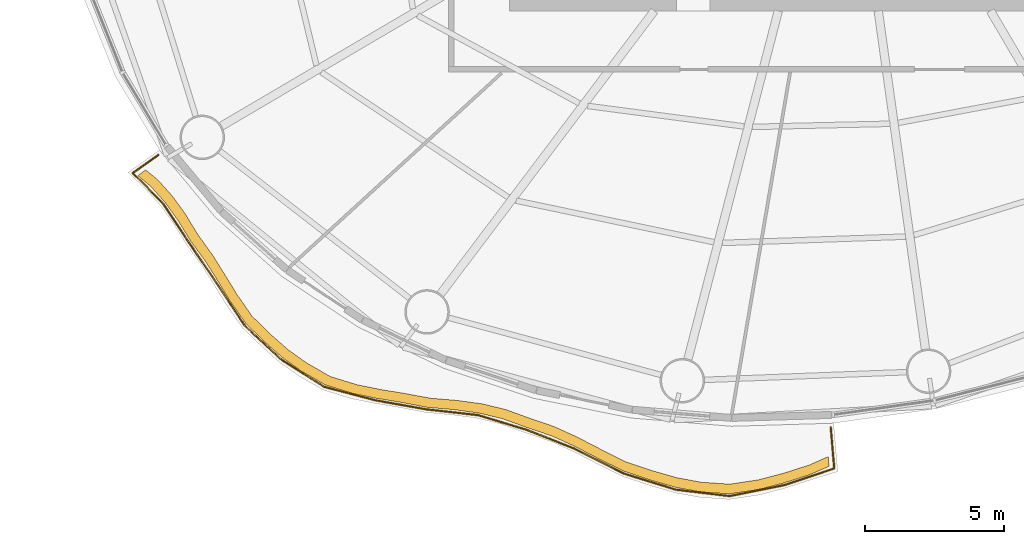
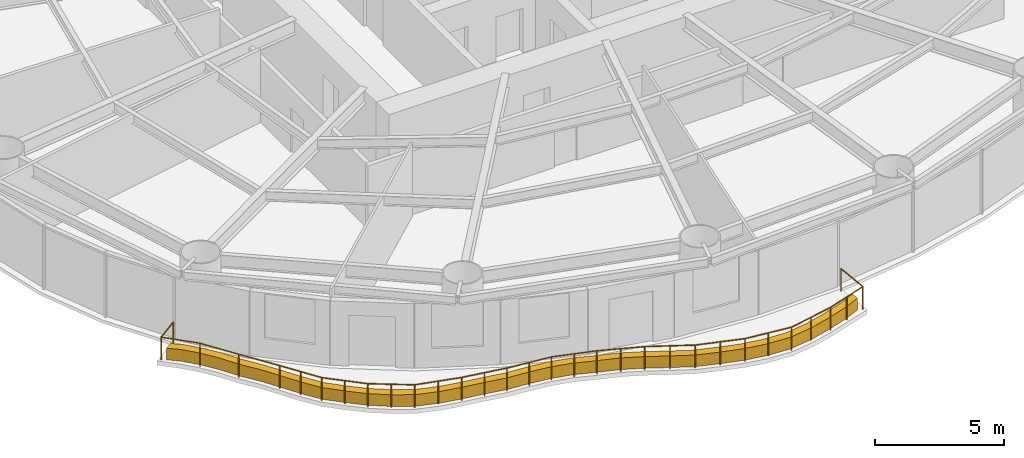
# One storey, part 12 of 16: 1 covering, 1 railing.
"""IFC4 building model written with IfcOpenShell, lengths in metres."""

from ifc_helpers import new_model, si_unit, direction, frame, origin, origin_2d, place, context, subcontext, project, spatial, polyline, circle, outline, extrude, material, type_object, element, save


model = new_model("IFC4")

# Units and contexts
model_context = context("Model", 3, precision=1e-05, world=origin(), true_north=direction((0.0, 1.0)))
body_context = subcontext(model_context, "Body", "Model", "MODEL_VIEW")
ifc_project = project(units=[si_unit("LENGTHUNIT", "METRE"), si_unit("AREAUNIT", "SQUARE_METRE"), si_unit("VOLUMEUNIT", "CUBIC_METRE"), si_unit("PLANEANGLEUNIT", "RADIAN"), si_unit("MASSUNIT", "GRAM", prefix="KILO")], contexts=[model_context])

# Site, building, storey
site_placement = place(None, origin())
site = spatial("IfcSite", under=ifc_project, at=site_placement, CompositionType="ELEMENT")
building_placement = place(site_placement, origin())
building = spatial("IfcBuilding", under=site, at=building_placement, Name="Vermilion Reach Broadcast Tower", CompositionType="ELEMENT")
storey_placement = place(building_placement, frame((0.0, 0.0, 103.0)))
storey = spatial("IfcBuildingStorey", under=building, at=storey_placement, Name="L23", CompositionType="ELEMENT", Elevation=103.0)

# Covering
ifc_material_1 = material(Name="Planting soil and greenery")
covering_type = type_object("IfcCoveringType", Name="Balcony PLANTER", PredefinedType="USERDEFINED", material=ifc_material_1)
covering_placement = place(storey_placement, origin())
element("IfcCovering", 1, at=covering_placement, inside=storey, type_object=covering_type, Name="PLANTER L23 group 3", ObjectType="PLANTER", PredefinedType="USERDEFINED", context=body_context, shape_type="SweptSolid", body=[
    extrude(outline(polyline([(-31.3623046875, -14.9208984375), (-30.91064453125, -15.29638671875), (-30.385986328125, -15.882080078125), (-29.924072265625, -16.52001953125), (-29.46142578125, -17.27685546875), (-28.92138671875, -18.015625), (-28.4765625, -18.72265625), (-28.039306640625, -19.438232421875), (-27.476806640625, -20.241455078125), (-26.765625, -20.931640625), (-26.141845703125, -21.479248046875), (-25.470703125, -21.955322265625), (-24.615966796875, -22.447021484375), (-23.6455078125, -22.75048828125), (-22.79248046875, -22.925048828125), (-21.92333984375, -23.066650390625), (-20.965087890625, -23.24853515625), (-19.978515625, -23.336669921875), (-19.105224609375, -23.455810546875), (-18.259765625, -23.658203125), (-17.3828125, -23.974853515625), (-16.47314453125, -24.28271484375), (-15.64404296875, -24.65771484375), (-14.825439453125, -25.083251953125), (-13.89892578125, -25.544921875), (-12.905029296875, -25.874755859375), (-12.01806640625, -26.130615234375), (-11.12353515625, -26.2939453125), (-10.083740234375, -26.3623046875), (-9.031494140625, -26.20556640625), (-8.118896484375, -25.965576171875), (-7.207763671875, -25.671875), (-6.51220703125, -25.373291015625), (-6.5419921875, -25.0244140625), (-7.218505859375, -25.322021484375), (-8.12939453125, -25.61572265625), (-9.042236328125, -25.855712890625), (-10.074462890625, -26.012451171875), (-11.0947265625, -25.945068359375), (-11.9892578125, -25.781982421875), (-12.876220703125, -25.52587890625), (-13.849853515625, -25.1982421875), (-14.756103515625, -24.740234375), (-15.574951171875, -24.314697265625), (-16.40380859375, -23.939697265625), (-17.292724609375, -23.63671875), (-18.149169921875, -23.326171875), (-18.99462890625, -23.123779296875), (-19.867919921875, -23.004638671875), (-20.83349609375, -22.92431640625), (-21.771240234375, -22.75146484375), (-22.64013671875, -22.60986328125), (-23.493408203125, -22.435302734375), (-24.44287109375, -22.142822265625), (-25.27734375, -21.66357421875), (-25.948486328125, -21.1875), (-26.572509765625, -20.639892578125), (-27.26318359375, -19.964111328125), (-27.806640625, -19.177001953125), (-28.243896484375, -18.46142578125), (-28.688720703125, -17.754150390625), (-29.2099609375, -17.03369140625), (-29.6552734375, -16.2958984375), (-30.1171875, -15.658203125), (-30.6416015625, -15.072509765625), (-31.076904296875, -14.71826171875), (-31.3623046875, -14.9208984375)])), origin(), (0.0, 0.0, 1.0), 0.550048828125),
])

# Railing
ifc_material_2 = material(Name="Stainless steel 316 balustrade", Category="steel")
railing_type = type_object("IfcRailingType", Name="Balcony guard 1100", PredefinedType="BALUSTRADE", material=ifc_material_2)
railing_placement = place(storey_placement, frame((-30.629638671875, -14.180908203125, 0.0)))
element("IfcRailing", 2, at=railing_placement, inside=storey, type_object=railing_type, Name="Balcony guard L23 group 3", PredefinedType="BALUSTRADE", context=body_context, shape_type="SweptSolid", body=[
    extrude(circle(Radius=0.02490234375, at=origin_2d()), frame((0.0, 0.0, 1.0751953125), z_axis=(-0.815527063497, -0.578718937572, 0.0), x_axis=(0.578718937572, -0.815527063497, 0.0)), (0.0, 0.0, 1.0), 1.11962890625),
    extrude(circle(Radius=0.02490234375, at=origin_2d()), frame((-0.9130859375, -0.64794921875, 1.0751953125), z_axis=(0.704118270568, -0.710082714233, 0.0), x_axis=(0.710082714233, 0.704118270568, 0.0)), (0.0, 0.0, 1.0), 1.555419921875),
    extrude(circle(Radius=0.02490234375, at=origin_2d()), frame((0.18212890625, -1.75244140625, 1.0751953125), z_axis=(0.552920689777, -0.833233887223, 0.0), x_axis=(0.833233887223, 0.552920689777, 0.0)), (0.0, 0.0, 1.0), 1.67919921875),
    extrude(circle(Radius=0.02490234375, at=origin_2d()), frame((1.110595703125, -3.151611328125, 1.0751953125), z_axis=(0.563591436, -0.826053686674, 0.0), x_axis=(0.826053686674, 0.563591436, 0.0)), (0.0, 0.0, 1.0), 1.75537109375),
    extrude(circle(Radius=0.02490234375, at=origin_2d()), frame((2.099853515625, -4.6015625, 1.0751953125), z_axis=(0.550646353841, -0.83473863754, 0.0), x_axis=(0.83473863754, 0.550646353841, 0.0)), (0.0, 0.0, 1.0), 1.823486328125),
    extrude(circle(Radius=0.02490234375, at=origin_2d()), frame((3.10400390625, -6.123779296875, 1.0751953125), z_axis=(0.733531076557, -0.679655912742, 0.0), x_axis=(0.679655912742, 0.733531076557, 0.0)), (0.0, 0.0, 1.0), 1.826171875),
    extrude(circle(Radius=0.02490234375, at=origin_2d()), frame((4.443603515625, -7.364990234375, 1.0751953125), z_axis=(0.844475886085, -0.535593575223, 0.0), x_axis=(0.535593575223, 0.844475886085, 0.0)), (0.0, 0.0, 1.0), 1.8125),
    extrude(circle(Radius=0.02490234375, at=origin_2d()), frame((5.97412109375, -8.335693359375, 1.0751953125), z_axis=(0.967163139953, -0.2541563706, 0.0), x_axis=(0.2541563706, 0.967163139953, 0.0)), (0.0, 0.0, 1.0), 1.890380859375),
    extrude(circle(Radius=0.02490234375, at=origin_2d()), frame((7.802490234375, -8.816162109375, 1.0751953125), z_axis=(0.984586115039, -0.174900491917, 0.0), x_axis=(0.174900491917, 0.984586115039, 0.0)), (0.0, 0.0, 1.0), 1.860595703125),
    extrude(circle(Radius=0.02490234375, at=origin_2d()), frame((9.634521484375, -9.1416015625, 1.0751953125), z_axis=(0.993762538563, -0.111516890867, 0.0), x_axis=(0.111516890867, 0.993762538563, 0.0)), (0.0, 0.0, 1.0), 1.876220703125),
    extrude(circle(Radius=0.02490234375, at=origin_2d()), frame((11.4990234375, -9.350830078125, 1.0751953125), z_axis=(0.957460441799, -0.288564554978, 0.0), x_axis=(0.288564554978, 0.957460441799, 0.0)), (0.0, 0.0, 1.0), 1.8037109375),
    extrude(circle(Radius=0.02490234375, at=origin_2d()), frame((13.22607421875, -9.871337890625, 1.0751953125), z_axis=(0.930963642313, -0.365111896124, 0.0), x_axis=(0.365111896124, 0.930963642313, 0.0)), (0.0, 0.0, 1.0), 1.873046875),
    extrude(circle(Radius=0.02490234375, at=origin_2d()), frame((14.9697265625, -10.55517578125, 1.0751953125), z_axis=(0.891748658325, -0.452531026975, 0.0), x_axis=(0.452531026975, 0.891748658325, 0.0)), (0.0, 0.0, 1.0), 1.962158203125),
    extrude(circle(Radius=0.02490234375, at=origin_2d()), frame((16.719482421875, -11.443115234375, 1.0751953125), z_axis=(0.954881712768, -0.296986387941, 0.0), x_axis=(0.296986387941, 0.954881712768, 0.0)), (0.0, 0.0, 1.0), 1.974609375),
    extrude(circle(Radius=0.02490234375, at=origin_2d()), frame((18.60498046875, -12.029541015625, 1.0751953125), z_axis=(0.992921728252, -0.118770541657, 0.0), x_axis=(0.118770541657, 0.992921728252, 0.0)), (0.0, 0.0, 1.0), 1.952880859375),
    extrude(circle(Radius=0.02490234375, at=origin_2d()), frame((20.5439453125, -12.261474609375, 1.0751953125), z_axis=(0.980303914404, 0.197494899691, 0.0), x_axis=(-0.197494899691, 0.980303914404, 0.0)), (0.0, 0.0, 1.0), 2.0087890625),
    extrude(circle(Radius=0.02490234375, at=origin_2d()), frame((22.51318359375, -11.86474609375, 1.0751953125), z_axis=(0.948502130774, 0.316770749781, 0.0), x_axis=(-0.316770749781, 0.948502130774, 0.0)), (0.0, 0.0, 1.0), 1.88818359375),
    extrude(circle(Radius=0.02490234375, at=origin_2d()), frame((24.30419921875, -11.2666015625, 1.0751953125), z_axis=(-0.085054499377, 0.996376300469, 0.0), x_axis=(-0.996376300469, -0.085054499377, 0.0)), (0.0, 0.0, 1.0), 1.478271484375),
    extrude(circle(Radius=0.02490234375, at=origin_2d()), origin(), (0.0, 0.0, 1.0), 1.050048828125),
    extrude(circle(Radius=0.02490234375, at=origin_2d()), frame((-0.9130859375, -0.64794921875, 0.0)), (0.0, 0.0, 1.0), 1.050048828125),
    extrude(circle(Radius=0.02490234375, at=origin_2d()), frame((0.18212890625, -1.75244140625, 0.0)), (0.0, 0.0, 1.0), 1.050048828125),
    extrude(circle(Radius=0.02490234375, at=origin_2d()), frame((1.110595703125, -3.151611328125, 0.0)), (0.0, 0.0, 1.0), 1.050048828125),
    extrude(circle(Radius=0.02490234375, at=origin_2d()), frame((2.099853515625, -4.6015625, 0.0)), (0.0, 0.0, 1.0), 1.050048828125),
    extrude(circle(Radius=0.02490234375, at=origin_2d()), frame((2.60205078125, -5.36279296875, 0.0)), (0.0, 0.0, 1.0), 1.050048828125),
    extrude(circle(Radius=0.02490234375, at=origin_2d()), frame((3.10400390625, -6.123779296875, 0.0)), (0.0, 0.0, 1.0), 1.050048828125),
    extrude(circle(Radius=0.02490234375, at=origin_2d()), frame((3.77392578125, -6.744384765625, 0.0)), (0.0, 0.0, 1.0), 1.050048828125),
    extrude(circle(Radius=0.02490234375, at=origin_2d()), frame((4.443603515625, -7.364990234375, 0.0)), (0.0, 0.0, 1.0), 1.050048828125),
    extrude(circle(Radius=0.02490234375, at=origin_2d()), frame((5.208984375, -7.850341796875, 0.0)), (0.0, 0.0, 1.0), 1.050048828125),
    extrude(circle(Radius=0.02490234375, at=origin_2d()), frame((5.97412109375, -8.335693359375, 0.0)), (0.0, 0.0, 1.0), 1.050048828125),
    extrude(circle(Radius=0.02490234375, at=origin_2d()), frame((6.88818359375, -8.575927734375, 0.0)), (0.0, 0.0, 1.0), 1.050048828125),
    extrude(circle(Radius=0.02490234375, at=origin_2d()), frame((7.802490234375, -8.816162109375, 0.0)), (0.0, 0.0, 1.0), 1.050048828125),
    extrude(circle(Radius=0.02490234375, at=origin_2d()), frame((8.718505859375, -8.97900390625, 0.0)), (0.0, 0.0, 1.0), 1.050048828125),
    extrude(circle(Radius=0.02490234375, at=origin_2d()), frame((9.634521484375, -9.1416015625, 0.0)), (0.0, 0.0, 1.0), 1.050048828125),
    extrude(circle(Radius=0.02490234375, at=origin_2d()), frame((10.56689453125, -9.24609375, 0.0)), (0.0, 0.0, 1.0), 1.050048828125),
    extrude(circle(Radius=0.02490234375, at=origin_2d()), frame((11.4990234375, -9.350830078125, 0.0)), (0.0, 0.0, 1.0), 1.050048828125),
    extrude(circle(Radius=0.02490234375, at=origin_2d()), frame((12.362548828125, -9.611083984375, 0.0)), (0.0, 0.0, 1.0), 1.050048828125),
    extrude(circle(Radius=0.02490234375, at=origin_2d()), frame((13.22607421875, -9.871337890625, 0.0)), (0.0, 0.0, 1.0), 1.050048828125),
    extrude(circle(Radius=0.02490234375, at=origin_2d()), frame((14.097900390625, -10.21337890625, 0.0)), (0.0, 0.0, 1.0), 1.050048828125),
    extrude(circle(Radius=0.02490234375, at=origin_2d()), frame((14.9697265625, -10.55517578125, 0.0)), (0.0, 0.0, 1.0), 1.050048828125),
    extrude(circle(Radius=0.02490234375, at=origin_2d()), frame((15.8447265625, -10.9990234375, 0.0)), (0.0, 0.0, 1.0), 1.050048828125),
    extrude(circle(Radius=0.02490234375, at=origin_2d()), frame((16.719482421875, -11.443115234375, 0.0)), (0.0, 0.0, 1.0), 1.050048828125),
    extrude(circle(Radius=0.02490234375, at=origin_2d()), frame((17.662109375, -11.736328125, 0.0)), (0.0, 0.0, 1.0), 1.050048828125),
    extrude(circle(Radius=0.02490234375, at=origin_2d()), frame((18.60498046875, -12.029541015625, 0.0)), (0.0, 0.0, 1.0), 1.050048828125),
    extrude(circle(Radius=0.02490234375, at=origin_2d()), frame((19.574462890625, -12.1455078125, 0.0)), (0.0, 0.0, 1.0), 1.050048828125),
    extrude(circle(Radius=0.02490234375, at=origin_2d()), frame((20.5439453125, -12.261474609375, 0.0)), (0.0, 0.0, 1.0), 1.050048828125),
    extrude(circle(Radius=0.02490234375, at=origin_2d()), frame((21.528564453125, -12.06298828125, 0.0)), (0.0, 0.0, 1.0), 1.050048828125),
    extrude(circle(Radius=0.02490234375, at=origin_2d()), frame((22.51318359375, -11.86474609375, 0.0)), (0.0, 0.0, 1.0), 1.050048828125),
    extrude(circle(Radius=0.02490234375, at=origin_2d()), frame((23.40869140625, -11.565673828125, 0.0)), (0.0, 0.0, 1.0), 1.050048828125),
    extrude(circle(Radius=0.02490234375, at=origin_2d()), frame((24.30419921875, -11.2666015625, 0.0)), (0.0, 0.0, 1.0), 1.050048828125),
    extrude(circle(Radius=0.02490234375, at=origin_2d()), frame((24.178466796875, -9.793701171875, 0.0)), (0.0, 0.0, 1.0), 1.050048828125),
])

save(model, "model.ifc")
